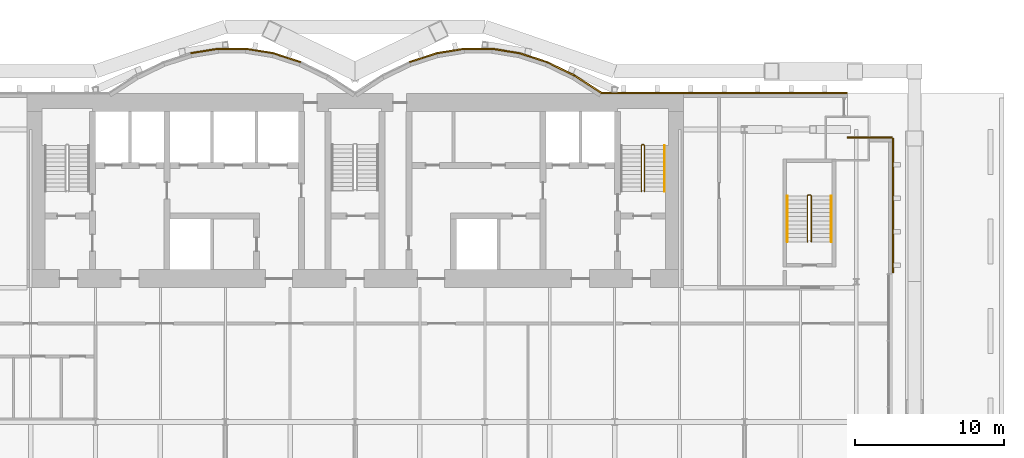
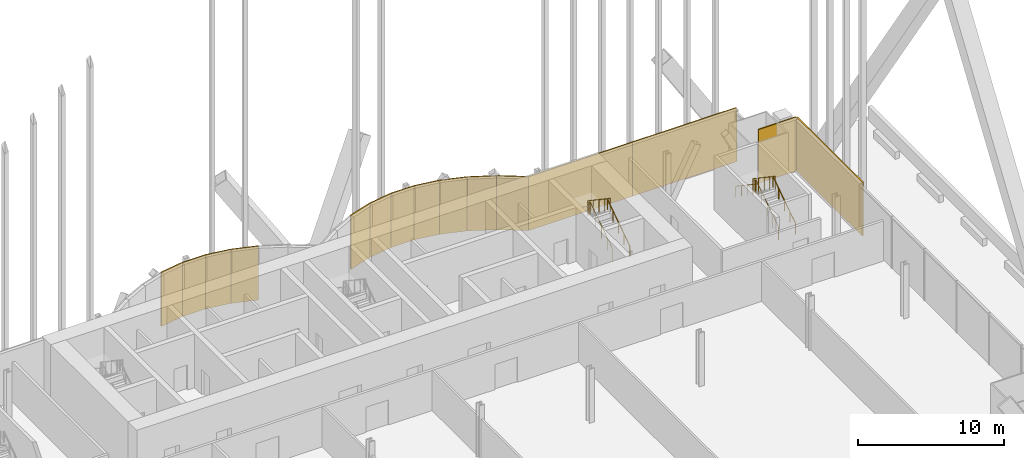
# One storey, part 29 of 29: 15 coverings, 5 railings.
"""IFC4 building model written with IfcOpenShell, lengths in metres."""

from ifc_helpers import new_model, si_unit, direction, frame, origin, origin_2d, place, context, subcontext, project, spatial, rectangle, circle, extrude, material, layer, layer_set, type_object, element, save


model = new_model("IFC4")

# Units and contexts
model_context = context("Model", 3, precision=1e-05, world=origin(), true_north=direction((0.0, 1.0)))
body_context = subcontext(model_context, "Body", "Model", "MODEL_VIEW")
ifc_project = project(units=[si_unit("LENGTHUNIT", "METRE"), si_unit("AREAUNIT", "SQUARE_METRE"), si_unit("VOLUMEUNIT", "CUBIC_METRE"), si_unit("PLANEANGLEUNIT", "RADIAN"), si_unit("MASSUNIT", "GRAM", prefix="KILO")], contexts=[model_context])

# Site, building, storey
site_placement = place(None, origin())
site = spatial("IfcSite", under=ifc_project, at=site_placement, CompositionType="ELEMENT")
building_placement = place(site_placement, origin())
building = spatial("IfcBuilding", under=site, at=building_placement, Name="Bicima Exchange Tower", CompositionType="ELEMENT")
storey_placement = place(building_placement, frame((0.0, 0.0, 35.0)))
storey = spatial("IfcBuildingStorey", under=building, at=storey_placement, Name="L06", CompositionType="ELEMENT", Elevation=35.0)

# Coverings
ifc_material_1 = material(Name="Bronze metal cladding")
ifc_layer_1 = layer(ifc_material_1, 0.004)
ifc_material_2 = material(Name="Ventilated cavity")
ifc_layer_2 = layer(ifc_material_2, 0.06)
ifc_material_3 = material(Name="Galvanised steel rail and mineral wool", Category="steel")
ifc_layer_3 = layer(ifc_material_3, 0.036)
ifc_layer_set = layer_set([ifc_layer_1, ifc_layer_2, ifc_layer_3], Name="Ventilated cavity")
covering_type = type_object("IfcCoveringType", Name="Bronze metal cladding panel 100", PredefinedType="CLADDING", material=ifc_layer_set)
for number, where, z_axis, x_axis, name in (
    (1, (28.875, 0.050048828125, -0.14990234375), (0.0, 0.0, 1.0), (-1.0, 0.0, 0.0), "Bronze cladding L06 1.1"),
    (2, (20.625, 0.050048828125, -0.14990234375), (0.0, 0.0, 1.0), (-1.0, 0.0, 0.0), "Bronze cladding L06 1.2"),
):
    element("IfcCovering", number, at=place(storey_placement, frame(where, z_axis=z_axis, x_axis=x_axis)), inside=storey, type_object=covering_type, Name=name, PredefinedType="CLADDING", context=body_context, shape_type="SweptSolid", body=[
        extrude(rectangle(XDim=8.25, YDim=0.10009765625, at=origin_2d()), origin(), (0.0, 0.0, 1.0), 4.5),
    ])
covering_1_placement = place(storey_placement, frame((15.610595703125, 0.634521484375, -0.14990234375), z_axis=(0.0, 0.0, 1.0), x_axis=(-0.839790466384, 0.542910648791, 0.0)))
element("IfcCovering", 3, at=covering_1_placement, inside=storey, type_object=covering_type, Name="Bronze cladding L06 2.1", PredefinedType="CLADDING", context=body_context, shape_type="SweptSolid", body=[
    extrude(rectangle(XDim=2.18310546875, YDim=0.10009765625, at=origin_2d()), origin(), (0.0, 0.0, 1.0), 4.5),
])
covering_2_placement = place(storey_placement, frame((13.771728515625, 1.674560546875, -0.14990234375), z_axis=(0.0, 0.0, 1.0), x_axis=(-0.899818346812, 0.436264762204, 0.0)))
element("IfcCovering", 4, at=covering_2_placement, inside=storey, type_object=covering_type, Name="Bronze cladding L06 3.1", PredefinedType="CLADDING", context=body_context, shape_type="SweptSolid", body=[
    extrude(rectangle(XDim=2.03759765625, YDim=0.10009765625, at=origin_2d()), origin(), (0.0, 0.0, 1.0), 4.5),
])
covering_3_placement = place(storey_placement, frame((11.931884765625, 2.41796875, -0.14990234375), z_axis=(0.0, 0.0, 1.0), x_axis=(-0.951524642381, 0.307572519808, 0.0)))
element("IfcCovering", 5, at=covering_3_placement, inside=storey, type_object=covering_type, Name="Bronze cladding L06 4.1", PredefinedType="CLADDING", context=body_context, shape_type="SweptSolid", body=[
    extrude(rectangle(XDim=1.9267578125, YDim=0.10009765625, at=origin_2d()), origin(), (0.0, 0.0, 1.0), 4.5),
])
covering_4_placement = place(storey_placement, frame((10.09130859375, 2.8642578125, -0.14990234375), z_axis=(0.0, 0.0, 1.0), x_axis=(-0.987189786347, 0.159550386184, 0.0)))
element("IfcCovering", 6, at=covering_4_placement, inside=storey, type_object=covering_type, Name="Bronze cladding L06 5.1", PredefinedType="CLADDING", context=body_context, shape_type="SweptSolid", body=[
    extrude(rectangle(XDim=1.857177734375, YDim=0.10009765625, at=origin_2d()), origin(), (0.0, 0.0, 1.0), 4.5),
])
covering_5_placement = place(storey_placement, frame((8.25, 3.012939453125, -0.14990234375), z_axis=(0.0, 0.0, 1.0), x_axis=(-1.0, 0.0, 0.0)))
element("IfcCovering", 7, at=covering_5_placement, inside=storey, type_object=covering_type, Name="Bronze cladding L06 6.1", PredefinedType="CLADDING", context=body_context, shape_type="SweptSolid", body=[
    extrude(rectangle(XDim=1.83349609375, YDim=0.10009765625, at=origin_2d()), origin(), (0.0, 0.0, 1.0), 4.5),
])
covering_6_placement = place(storey_placement, frame((6.40869140625, 2.8642578125, -0.14990234375), z_axis=(0.0, 0.0, 1.0), x_axis=(-0.987189786347, -0.159550386184, 0.0)))
element("IfcCovering", 8, at=covering_6_placement, inside=storey, type_object=covering_type, Name="Bronze cladding L06 7.1", PredefinedType="CLADDING", context=body_context, shape_type="SweptSolid", body=[
    extrude(rectangle(XDim=1.857177734375, YDim=0.10009765625, at=origin_2d()), origin(), (0.0, 0.0, 1.0), 4.5),
])
for number, where, z_axis, x_axis, name in (
    (9, (4.568115234375, 2.41796875, -0.14990234375), (0.0, 0.0, 1.0), (-0.951524642381, -0.307572519808, 0.0), "Bronze cladding L06 8.1"),
    (10, (-4.568115234375, 2.41796875, -0.14990234375), (0.0, 0.0, 1.0), (-0.951524642381, 0.307572519808, 0.0), "Bronze cladding L06 13.1"),
):
    element("IfcCovering", number, at=place(storey_placement, frame(where, z_axis=z_axis, x_axis=x_axis)), inside=storey, type_object=covering_type, Name=name, PredefinedType="CLADDING", context=body_context, shape_type="SweptSolid", body=[
        extrude(rectangle(XDim=1.9267578125, YDim=0.10009765625, at=origin_2d()), origin(), (0.0, 0.0, 1.0), 4.5),
    ])
covering_7_placement = place(storey_placement, frame((-6.40869140625, 2.8642578125, -0.14990234375), z_axis=(0.0, 0.0, 1.0), x_axis=(-0.987189786347, 0.159550386184, 0.0)))
element("IfcCovering", 11, at=covering_7_placement, inside=storey, type_object=covering_type, Name="Bronze cladding L06 14.1", PredefinedType="CLADDING", context=body_context, shape_type="SweptSolid", body=[
    extrude(rectangle(XDim=1.857177734375, YDim=0.10009765625, at=origin_2d()), origin(), (0.0, 0.0, 1.0), 4.5),
])
covering_8_placement = place(storey_placement, frame((-8.25, 3.012939453125, -0.14990234375), z_axis=(0.0, 0.0, 1.0), x_axis=(-1.0, 0.0, 0.0)))
element("IfcCovering", 12, at=covering_8_placement, inside=storey, type_object=covering_type, Name="Bronze cladding L06 15.1", PredefinedType="CLADDING", context=body_context, shape_type="SweptSolid", body=[
    extrude(rectangle(XDim=1.83349609375, YDim=0.10009765625, at=origin_2d()), origin(), (0.0, 0.0, 1.0), 4.5),
])
covering_9_placement = place(storey_placement, frame((-10.09130859375, 2.8642578125, -0.14990234375), z_axis=(0.0, 0.0, 1.0), x_axis=(-0.987189786347, -0.159550386184, 0.0)))
element("IfcCovering", 13, at=covering_9_placement, inside=storey, type_object=covering_type, Name="Bronze cladding L06 16.1", PredefinedType="CLADDING", context=body_context, shape_type="SweptSolid", body=[
    extrude(rectangle(XDim=1.857177734375, YDim=0.10009765625, at=origin_2d()), origin(), (0.0, 0.0, 1.0), 4.5),
])
covering_10_placement = place(storey_placement, frame((36.050048828125, -7.5, -0.14990234375), z_axis=(0.0, 0.0, 1.0), x_axis=(0.0, 1.0, 0.0)))
element("IfcCovering", 14, at=covering_10_placement, inside=storey, type_object=covering_type, Name="Bronze cladding L06 50.1", PredefinedType="CLADDING", context=body_context, shape_type="SweptSolid", body=[
    extrude(rectangle(XDim=9.0, YDim=0.10009765625, at=origin_2d()), origin(), (0.0, 0.0, 1.0), 4.5),
])
covering_11_placement = place(storey_placement, frame((34.5, -2.949951171875, -0.14990234375), z_axis=(0.0, 0.0, 1.0), x_axis=(-1.0, 0.0, 0.0)))
element("IfcCovering", 15, at=covering_11_placement, inside=storey, type_object=covering_type, Name="Bronze cladding L06 51.1", PredefinedType="CLADDING", context=body_context, shape_type="SweptSolid", body=[
    extrude(rectangle(XDim=3.0, YDim=0.10009765625, at=origin_2d()), origin(), (0.0, 0.0, 1.0), 4.5),
])

# Railings
ifc_material_4 = material(Name="Stainless steel", Category="steel")
railing_type_1 = type_object("IfcRailingType", Name="Stair guard 1100", PredefinedType="GUARDRAIL", material=ifc_material_4)
railing_1_placement = place(storey_placement, frame((19.39990234375, -6.550048828125, 0.1875)))
element("IfcRailing", 16, at=railing_1_placement, inside=storey, type_object=railing_type_1, Name="L06 ST-E stair guard 1", PredefinedType="GUARDRAIL", context=body_context, shape_type="SweptSolid", body=[
    extrude(circle(Radius=0.02392578125, at=origin_2d()), frame((0.0, 0.0, 1.076171875), z_axis=(0.0, 0.830913701846, 0.55640131208), x_axis=(-1.0, 0.0, 0.0)), (0.0, 0.0, 1.0), 3.706787109375),
    extrude(circle(Radius=0.02392578125, at=origin_2d()), frame((0.0, 3.080078125, 3.138671875), z_axis=(-0.705375805398, 0.708833529934, 0.0), x_axis=(-0.708833529934, -0.705375805398, 0.0)), (0.0, 0.0, 1.0), 0.070556640625),
    extrude(circle(Radius=0.02392578125, at=origin_2d()), frame((-0.0498046875, 3.130126953125, 3.138671875), z_axis=(-1.0, 0.0, 0.0), x_axis=(0.0, -1.0, 0.0)), (0.0, 0.0, 1.0), 0.10009765625),
    extrude(circle(Radius=0.02392578125, at=origin_2d()), frame((-0.14990234375, 3.130126953125, 3.138671875), z_axis=(-0.249726431254, -0.249726431254, 0.935560483917), x_axis=(0.707106781187, -0.707106781187, 0.0)), (0.0, 0.0, 1.0), 0.200439453125),
    extrude(circle(Radius=0.02392578125, at=origin_2d()), frame((-0.199951171875, 3.080078125, 3.326171875), z_axis=(0.0, -0.830913701846, 0.55640131208), x_axis=(1.0, 0.0, 0.0)), (0.0, 0.0, 1.0), 3.706787109375),
    extrude(circle(Radius=0.02099609375, at=origin_2d()), origin(), (0.0, 0.0, 1.0), 1.052001953125),
    extrude(circle(Radius=0.02099609375, at=origin_2d()), frame((0.0, 0.77001953125, 0.515625)), (0.0, 0.0, 1.0), 1.052001953125),
    extrude(circle(Radius=0.02099609375, at=origin_2d()), frame((0.0, 1.5400390625, 1.03125)), (0.0, 0.0, 1.0), 1.052001953125),
    extrude(circle(Radius=0.02099609375, at=origin_2d()), frame((0.0, 2.31005859375, 1.546875)), (0.0, 0.0, 1.0), 1.052001953125),
    extrude(circle(Radius=0.02099609375, at=origin_2d()), frame((0.0, 3.080078125, 2.0625)), (0.0, 0.0, 1.0), 1.052001953125),
    extrude(circle(Radius=0.02099609375, at=origin_2d()), frame((-0.0498046875, 3.130126953125, 2.0625)), (0.0, 0.0, 1.0), 1.052001953125),
    extrude(circle(Radius=0.02099609375, at=origin_2d()), frame((-0.14990234375, 3.130126953125, 2.0625)), (0.0, 0.0, 1.0), 1.052001953125),
    extrude(circle(Radius=0.02099609375, at=origin_2d()), frame((-0.199951171875, 3.080078125, 2.25)), (0.0, 0.0, 1.0), 1.052001953125),
    extrude(circle(Radius=0.02099609375, at=origin_2d()), frame((-0.199951171875, 2.31005859375, 2.765625)), (0.0, 0.0, 1.0), 1.052001953125),
    extrude(circle(Radius=0.02099609375, at=origin_2d()), frame((-0.199951171875, 1.5400390625, 3.28125)), (0.0, 0.0, 1.0), 1.052001953125),
    extrude(circle(Radius=0.02099609375, at=origin_2d()), frame((-0.199951171875, 0.77001953125, 3.796875)), (0.0, 0.0, 1.0), 1.052001953125),
    extrude(circle(Radius=0.02099609375, at=origin_2d()), frame((-0.199951171875, 0.0, 4.3125)), (0.0, 0.0, 1.0), 1.052001953125),
])
railing_2_placement = place(storey_placement, frame((30.574951171875, -9.925048828125, 0.1875)))
element("IfcRailing", 17, at=railing_2_placement, inside=storey, type_object=railing_type_1, Name="L06 ST-EE stair guard 1", PredefinedType="GUARDRAIL", context=body_context, shape_type="SweptSolid", body=[
    extrude(circle(Radius=0.02392578125, at=origin_2d()), frame((0.0, 0.0, 1.076171875), z_axis=(0.0, 0.830913701846, 0.55640131208), x_axis=(-1.0, 0.0, 0.0)), (0.0, 0.0, 1.0), 3.706787109375),
    extrude(circle(Radius=0.02392578125, at=origin_2d()), frame((0.0, 3.080078125, 3.138671875), z_axis=(-0.707106781187, 0.707106781187, 0.0), x_axis=(-0.707106781187, -0.707106781187, 0.0)), (0.0, 0.0, 1.0), 0.07080078125),
    extrude(circle(Radius=0.02392578125, at=origin_2d()), frame((-0.050048828125, 3.130126953125, 3.138671875), z_axis=(-1.0, 0.0, 0.0), x_axis=(0.0, -1.0, 0.0)), (0.0, 0.0, 1.0), 0.14990234375),
    extrude(circle(Radius=0.02392578125, at=origin_2d()), frame((-0.199951171875, 3.130126953125, 3.138671875), z_axis=(-0.249726431254, -0.249726431254, 0.935560483917), x_axis=(0.707106781187, -0.707106781187, 0.0)), (0.0, 0.0, 1.0), 0.200439453125),
    extrude(circle(Radius=0.02392578125, at=origin_2d()), frame((-0.25, 3.080078125, 3.326171875), z_axis=(0.0, -0.830913701846, 0.55640131208), x_axis=(1.0, 0.0, 0.0)), (0.0, 0.0, 1.0), 3.706787109375),
    extrude(circle(Radius=0.02099609375, at=origin_2d()), origin(), (0.0, 0.0, 1.0), 1.052001953125),
    extrude(circle(Radius=0.02099609375, at=origin_2d()), frame((0.0, 0.77001953125, 0.515625)), (0.0, 0.0, 1.0), 1.052001953125),
    extrude(circle(Radius=0.02099609375, at=origin_2d()), frame((0.0, 1.5400390625, 1.03125)), (0.0, 0.0, 1.0), 1.052001953125),
    extrude(circle(Radius=0.02099609375, at=origin_2d()), frame((0.0, 2.31005859375, 1.546875)), (0.0, 0.0, 1.0), 1.052001953125),
    extrude(circle(Radius=0.02099609375, at=origin_2d()), frame((0.0, 3.080078125, 2.0625)), (0.0, 0.0, 1.0), 1.052001953125),
    extrude(circle(Radius=0.02099609375, at=origin_2d()), frame((-0.050048828125, 3.130126953125, 2.0625)), (0.0, 0.0, 1.0), 1.052001953125),
    extrude(circle(Radius=0.02099609375, at=origin_2d()), frame((-0.199951171875, 3.130126953125, 2.0625)), (0.0, 0.0, 1.0), 1.052001953125),
    extrude(circle(Radius=0.02099609375, at=origin_2d()), frame((-0.25, 3.080078125, 2.25)), (0.0, 0.0, 1.0), 1.052001953125),
    extrude(circle(Radius=0.02099609375, at=origin_2d()), frame((-0.25, 2.31005859375, 2.765625)), (0.0, 0.0, 1.0), 1.052001953125),
    extrude(circle(Radius=0.02099609375, at=origin_2d()), frame((-0.25, 1.5400390625, 3.28125)), (0.0, 0.0, 1.0), 1.052001953125),
    extrude(circle(Radius=0.02099609375, at=origin_2d()), frame((-0.25, 0.77001953125, 3.796875)), (0.0, 0.0, 1.0), 1.052001953125),
    extrude(circle(Radius=0.02099609375, at=origin_2d()), frame((-0.25, 0.0, 4.3125)), (0.0, 0.0, 1.0), 1.052001953125),
])
railing_type_2 = type_object("IfcRailingType", Name="Stair handrail 900", PredefinedType="HANDRAIL", material=ifc_material_4)
for number, where, name in (
    (18, (20.75, -6.550048828125, 0.1875), "L06 ST-E stair handrail 1"),
    (19, (31.925048828125, -9.925048828125, 0.1875), "L06 ST-EE stair handrail 1"),
):
    element("IfcRailing", number, at=place(storey_placement, frame(where)), inside=storey, type_object=railing_type_2, Name=name, PredefinedType="HANDRAIL", context=body_context, shape_type="SweptSolid", body=[
        extrude(circle(Radius=0.02392578125, at=origin_2d()), frame((0.0, 0.0, 0.8759765625), z_axis=(0.0, 0.830913701846, 0.55640131208), x_axis=(-1.0, 0.0, 0.0)), (0.0, 0.0, 1.0), 3.706787109375),
        extrude(circle(Radius=0.02099609375, at=origin_2d()), origin(), (0.0, 0.0, 1.0), 0.851806640625),
        extrude(circle(Radius=0.02099609375, at=origin_2d()), frame((0.0, 0.77001953125, 0.515625)), (0.0, 0.0, 1.0), 0.851806640625),
        extrude(circle(Radius=0.02099609375, at=origin_2d()), frame((0.0, 1.5400390625, 1.03125)), (0.0, 0.0, 1.0), 0.851806640625),
        extrude(circle(Radius=0.02099609375, at=origin_2d()), frame((0.0, 2.31005859375, 1.546875)), (0.0, 0.0, 1.0), 0.851806640625),
        extrude(circle(Radius=0.02099609375, at=origin_2d()), frame((0.0, 3.080078125, 2.0625)), (0.0, 0.0, 1.0), 0.851806640625),
    ])
railing_3_placement = place(storey_placement, frame((28.97509765625, -6.844970703125, 2.47900390625)))
element("IfcRailing", 20, at=railing_3_placement, inside=storey, type_object=railing_type_2, Name="L06 ST-EE stair handrail 2", PredefinedType="HANDRAIL", context=body_context, shape_type="SweptSolid", body=[
    extrude(circle(Radius=0.02392578125, at=origin_2d()), frame((0.0, 0.0, 0.8759765625), z_axis=(0.0, -0.830913701846, 0.55640131208), x_axis=(1.0, 0.0, 0.0)), (0.0, 0.0, 1.0), 3.706787109375),
    extrude(circle(Radius=0.02099609375, at=origin_2d()), origin(), (0.0, 0.0, 1.0), 0.851806640625),
    extrude(circle(Radius=0.02099609375, at=origin_2d()), frame((0.0, -0.77001953125, 0.515625)), (0.0, 0.0, 1.0), 0.851806640625),
    extrude(circle(Radius=0.02099609375, at=origin_2d()), frame((0.0, -1.5400390625, 1.03125)), (0.0, 0.0, 1.0), 0.851806640625),
    extrude(circle(Radius=0.02099609375, at=origin_2d()), frame((0.0, -2.31005859375, 1.546875)), (0.0, 0.0, 1.0), 0.851806640625),
    extrude(circle(Radius=0.02099609375, at=origin_2d()), frame((0.0, -3.080078125, 2.0625)), (0.0, 0.0, 1.0), 0.851806640625),
])

save(model, "model.ifc")
